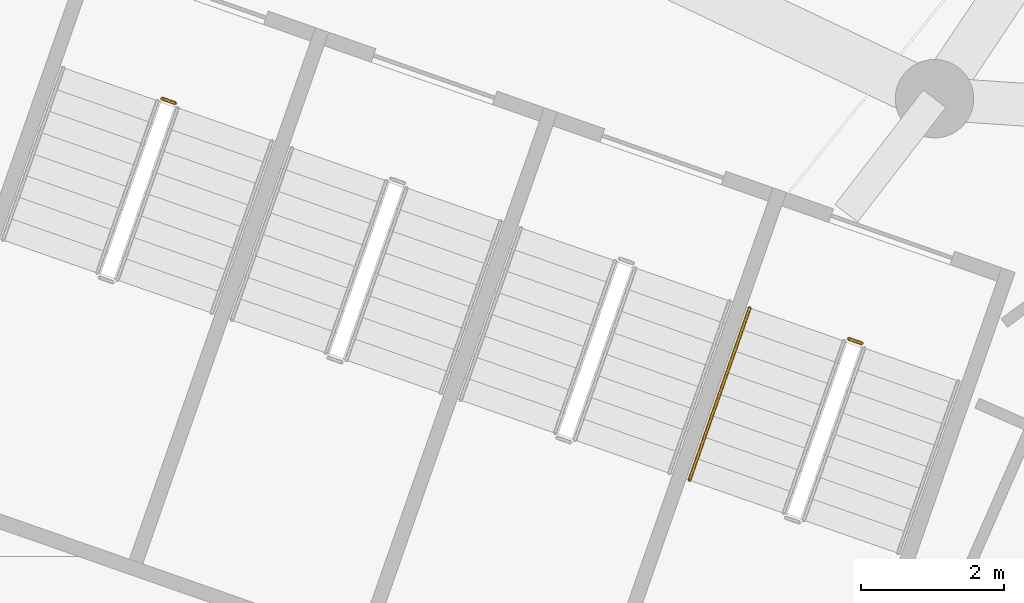
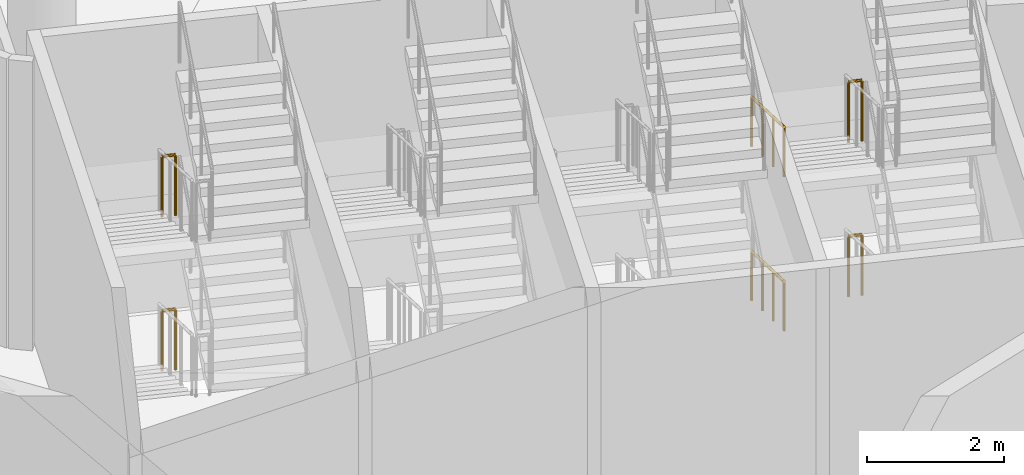
# One storey, part 223 of 271: 6 railings.
"""IFC4 building model written with IfcOpenShell, lengths in metres."""

from ifc_helpers import new_model, si_unit, direction, frame, origin, origin_2d, place, context, subcontext, project, spatial, circle, extrude, material, type_object, element, save


model = new_model("IFC4")

# Units and contexts
model_context = context("Model", 3, precision=1e-05, world=origin(), true_north=direction((0.0, 1.0)))
body_context = subcontext(model_context, "Body", "Model", "MODEL_VIEW")
ifc_project = project(units=[si_unit("LENGTHUNIT", "METRE"), si_unit("AREAUNIT", "SQUARE_METRE"), si_unit("VOLUMEUNIT", "CUBIC_METRE"), si_unit("PLANEANGLEUNIT", "RADIAN"), si_unit("MASSUNIT", "GRAM", prefix="KILO")], contexts=[model_context])

# Site, building, storey
site_placement = place(None, origin())
site = spatial("IfcSite", under=ifc_project, at=site_placement, CompositionType="ELEMENT")
building_placement = place(site_placement, origin())
building = spatial("IfcBuilding", under=site, at=building_placement, Name="Meseta Stadium", CompositionType="ELEMENT")
storey_placement = place(building_placement, frame((0.0, 0.0, 6.5)))
storey = spatial("IfcBuildingStorey", under=building, at=storey_placement, Name="L01", CompositionType="ELEMENT", Elevation=6.5)

# Railings
ifc_material_1 = material(Name="Steel S355", Category="steel")
railing_type_1 = type_object("IfcRailingType", Name="Stair guard 1100", PredefinedType="GUARDRAIL", material=ifc_material_1)
for number, where, name in (
    (1, (-65.35791015625, -89.577392578125, 2.75), "ST85 L01 guard 4"),
    (2, (-65.35791015625, -89.577392578125, 0.0), "ST85 L01 guard 8"),
    (3, (-55.730224609375, -92.9462890625, 2.75), "ST88 L01 guard 4"),
    (4, (-55.730224609375, -92.9462890625, 0.0), "ST88 L01 guard 8"),
):
    element("IfcRailing", number, at=place(storey_placement, frame(where)), inside=storey, type_object=railing_type_1, Name=name, PredefinedType="GUARDRAIL", context=body_context, shape_type="SweptSolid", body=[
        extrude(circle(Radius=0.02392578125, at=origin_2d()), frame((0.0, 0.0, 1.076171875), z_axis=(0.943686935281, -0.330839792317, 0.0), x_axis=(0.330839792317, 0.943686935281, 0.0)), (0.0, 0.0, 1.0), 0.199951171875),
        extrude(circle(Radius=0.02099609375, at=origin_2d()), origin(), (0.0, 0.0, 1.0), 1.052001953125),
        extrude(circle(Radius=0.02099609375, at=origin_2d()), frame((0.188720703125, -0.066162109375, 0.0)), (0.0, 0.0, 1.0), 1.052001953125),
    ])
ifc_material_2 = material(Name="Steel S355", Category="steel")
railing_type_2 = type_object("IfcRailingType", Name="Stair handrail 900", PredefinedType="HANDRAIL", material=ifc_material_2)
for number, where, name in (
    (5, (-57.115478515625, -92.5146484375, 0.15283203125), "ST88 L01 handrail 1"),
    (6, (-57.115478515625, -92.5146484375, 2.90283203125), "ST88 L01 handrail 3"),
):
    element("IfcRailing", number, at=place(storey_placement, frame(where)), inside=storey, type_object=railing_type_2, Name=name, PredefinedType="HANDRAIL", context=body_context, shape_type="SweptSolid", body=[
        extrude(circle(Radius=0.02392578125, at=origin_2d()), frame((0.0, 0.0, 0.8759765625), z_axis=(-0.298044258026, -0.851788628844, 0.430843071233), x_axis=(0.943886603116, -0.330269708658, 0.0)), (0.0, 0.0, 1.0), 2.836669921875),
        extrude(circle(Radius=0.02099609375, at=origin_2d()), origin(), (0.0, 0.0, 1.0), 0.851806640625),
        extrude(circle(Radius=0.02099609375, at=origin_2d()), frame((-0.28173828125, -0.805419921875, 0.407470703125)), (0.0, 0.0, 1.0), 0.851806640625),
        extrude(circle(Radius=0.02099609375, at=origin_2d()), frame((-0.563720703125, -1.61083984375, 0.814697265625)), (0.0, 0.0, 1.0), 0.851806640625),
        extrude(circle(Radius=0.02099609375, at=origin_2d()), frame((-0.845458984375, -2.416259765625, 1.22216796875)), (0.0, 0.0, 1.0), 0.851806640625),
    ])

save(model, "model.ifc")
